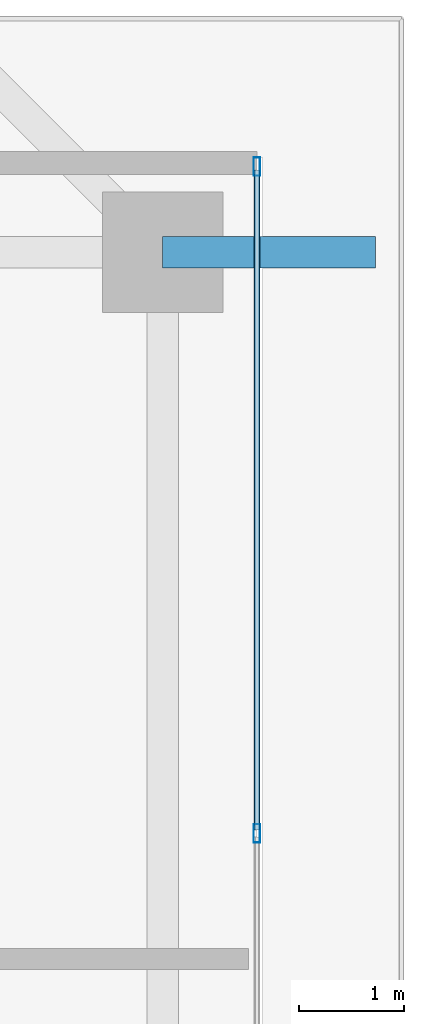
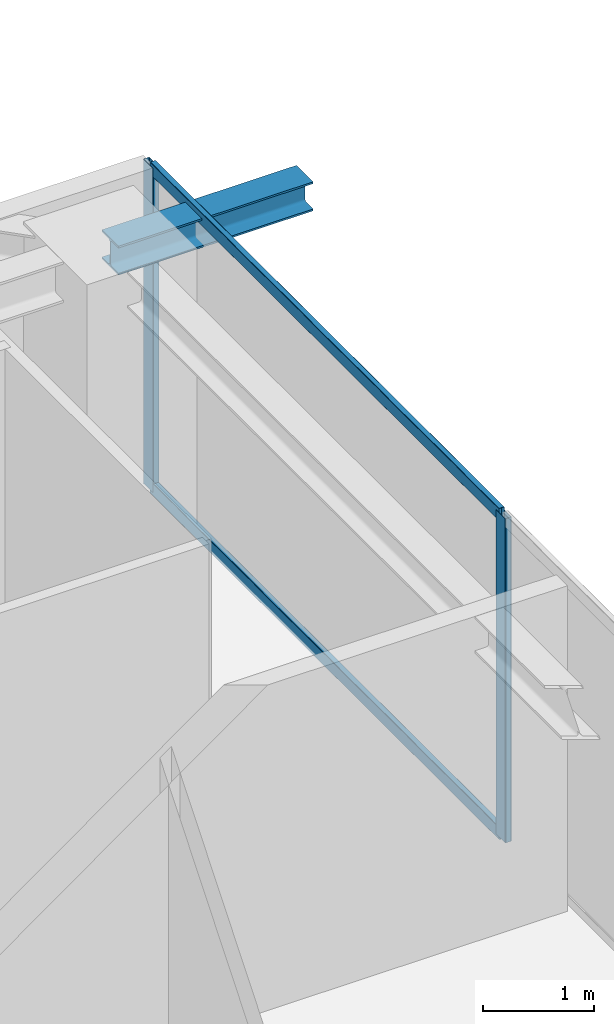
# One storey, part 21 of 37: 4 members, 1 beam, 1 element without a shape of its own.
"""IFC4 building model written with IfcOpenShell, lengths in metres."""

from ifc_helpers import new_model, si_unit, direction, frame, origin, origin_2d, place, context, subcontext, project, spatial, hollow_rectangle, i_section, extrude, source, transform, mapped, material, layer, layer_set, material_profile, profile_set, type_object, element, aggregate, save


model = new_model("IFC4")

# Units and contexts
model_context = context("Model", 3, precision=1e-05, world=origin(), true_north=direction((0.0, 1.0)))
body_context = subcontext(model_context, "Body", "Model", "MODEL_VIEW")
ifc_project = project(units=[si_unit("LENGTHUNIT", "METRE"), si_unit("AREAUNIT", "SQUARE_METRE"), si_unit("VOLUMEUNIT", "CUBIC_METRE"), si_unit("PLANEANGLEUNIT", "RADIAN"), si_unit("MASSUNIT", "GRAM", prefix="KILO")], contexts=[model_context])

# Site, building, storey
site_placement = place(None, origin())
site = spatial("IfcSite", under=ifc_project, at=site_placement, CompositionType="ELEMENT")
building_placement = place(site_placement, origin())
building = spatial("IfcBuilding", under=site, at=building_placement, Name="Serunith Strait Residences", CompositionType="ELEMENT")
storey_placement = place(building_placement, frame((0.0, 0.0, 218.14990234375)))
storey = spatial("IfcBuildingStorey", under=building, at=storey_placement, Name="L54", CompositionType="ELEMENT", Elevation=218.14990234375)

# Beam
ifc_material_1 = material(Name="Steel S355J2", Category="steel")
ifc_material_profile_1 = material_profile(ifc_material_1, i_section(OverallWidth=0.300048828125, OverallDepth=0.320068359375, WebThickness=0.011474609375, FlangeThickness=0.0205078125, FilletRadius=0.027099609375, at=origin_2d()), Name="HEB 320")
ifc_profile_set_1 = profile_set([ifc_material_profile_1], Name="Steel S355J2")
beam_type = type_object("IfcBeamType", Name="BM-HEB320", PredefinedType="BEAM", material=ifc_profile_set_1)
shared_shape_1 = source(origin(), body_context, "Body", "SweptSolid", [
    extrude(i_section(OverallWidth=0.300048828125, OverallDepth=0.320068359375, WebThickness=0.011474609375, FlangeThickness=0.0205078125, FilletRadius=0.027099609375, at=origin_2d()), origin(), (0.0, 0.0, 1.0), 2.030029296875),
])
beam_placement = place(storey_placement, frame((56.5, 40.35009765625, 3.397216796875), z_axis=(1.0, 0.0, 0.0), x_axis=(0.0, 1.0, 0.0)))
element("IfcBeam", 1, at=beam_placement, inside=storey, type_object=beam_type, Name="L55 Cantilevered Balcony Rib TC-E4", PredefinedType="BEAM", context=body_context, shape_type="MappedRepresentation", body=[
    mapped(shared_shape_1, transform((0.0, 0.0, 0.0), scale=1.0)),
])

# Curtain wall, members
ifc_material_2 = material(Name="Pale-Champagne Anodised Aluminium", Category="aluminium")
ifc_layer = layer(ifc_material_2, 0.199951171875, Name="Pale-Champagne Anodised Aluminium")
ifc_layer_set = layer_set([ifc_layer], Name="Pale-Champagne Anodised Aluminium")
curtain_wall_type = type_object("IfcCurtainWallType", Name="CW-SYS4", PredefinedType="NOTDEFINED", material=ifc_layer_set)
curtain_wall_placement = place(storey_placement, origin())
curtain_wall = element("IfcCurtainWall", 2, at=curtain_wall_placement, inside=storey, type_object=curtain_wall_type, Name="L54 E Unitised Fritted Curtain Wall", PredefinedType="NOTDEFINED")
ifc_material_profile_2 = material_profile(ifc_material_2, hollow_rectangle(XDim=0.06005859375, YDim=0.139892578125, WallThickness=0.00341796875, InnerFilletRadius=0.00537109375, OuterFilletRadius=0.0087890625, at=origin_2d()), Name="ALU 140x60x3.5")
ifc_profile_set_2 = profile_set([ifc_material_profile_2], Name="Pale-Champagne Anodised Aluminium")
member_type_1 = type_object("IfcMemberType", Name="CW-SYS4-TRAN", PredefinedType="USERDEFINED", material=ifc_profile_set_2)
shared_shape_2 = source(origin(), body_context, "Body", "SweptSolid", [
    extrude(hollow_rectangle(XDim=0.06005859375, YDim=0.139892578125, WallThickness=0.00341796875, InnerFilletRadius=0.00537109375, OuterFilletRadius=0.0087890625, at=origin_2d()), origin(), (0.0, 0.0, 1.0), 6.302490234375),
])
member_1_placement = place(storey_placement, frame((57.39990234375, 34.83251953125, 0.030029296875), z_axis=(0.0, 1.0, 0.0), x_axis=(-1.0, 0.0, 0.0)))
member_1 = element("IfcMember", 3, at=member_1_placement, type_object=member_type_1, Name="CW-4 transom 5.1", ObjectType="TRANSOM", PredefinedType="USERDEFINED", context=body_context, shape_type="MappedRepresentation", body=[
    mapped(shared_shape_2, transform((0.0, 0.0, 0.0), scale=1.0)),
])
member_2_placement = place(storey_placement, frame((57.39990234375, 34.83251953125, 3.545166015625), z_axis=(0.0, 1.0, 0.0), x_axis=(-1.0, 0.0, 0.0)))
member_2 = element("IfcMember", 4, at=member_2_placement, type_object=member_type_1, Name="CW-4 transom 5.2", ObjectType="TRANSOM", PredefinedType="USERDEFINED", context=body_context, shape_type="MappedRepresentation", body=[
    mapped(shared_shape_2, transform((0.0, 0.0, 0.0), scale=1.0)),
])
ifc_material_profile_3 = material_profile(ifc_material_2, hollow_rectangle(XDim=0.06494140625, YDim=0.179931640625, WallThickness=0.00341796875, InnerFilletRadius=0.00537109375, OuterFilletRadius=0.0087890625, at=origin_2d()), Name="ALU 180x65x3.5")
ifc_profile_set_3 = profile_set([ifc_material_profile_3], Name="Pale-Champagne Anodised Aluminium")
member_type_2 = type_object("IfcMemberType", Name="CW-SYS4-MULL", PredefinedType="MULLION", material=ifc_profile_set_3)
shared_shape_3 = source(origin(), body_context, "Body", "SweptSolid", [
    extrude(hollow_rectangle(XDim=0.06494140625, YDim=0.179931640625, WallThickness=0.00341796875, InnerFilletRadius=0.00537109375, OuterFilletRadius=0.0087890625, at=origin_2d()), origin(), (0.0, 0.0, 1.0), 3.5751953125),
])
member_3_placement = place(storey_placement, frame((57.39990234375, 34.800048828125, 0.0), z_axis=(0.0, 0.0, 1.0), x_axis=(-1.0, 0.0, 0.0)))
member_3 = element("IfcMember", 5, at=member_3_placement, type_object=member_type_2, Name="CW-4 mullion 5", PredefinedType="MULLION", context=body_context, shape_type="MappedRepresentation", body=[
    mapped(shared_shape_3, transform((0.0, 0.0, 0.0), scale=1.0)),
])
member_4_placement = place(storey_placement, frame((57.39990234375, 41.16748046875, 0.0), z_axis=(0.0, 0.0, 1.0), x_axis=(-1.0, 0.0, 0.0)))
member_4 = element("IfcMember", 6, at=member_4_placement, type_object=member_type_2, Name="CW-4 mullion 6", PredefinedType="MULLION", context=body_context, shape_type="MappedRepresentation", body=[
    mapped(shared_shape_3, transform((0.0, 0.0, 0.0), scale=1.0)),
])
aggregate(curtain_wall, [member_3, member_4, member_1, member_2])

save(model, "model.ifc")
